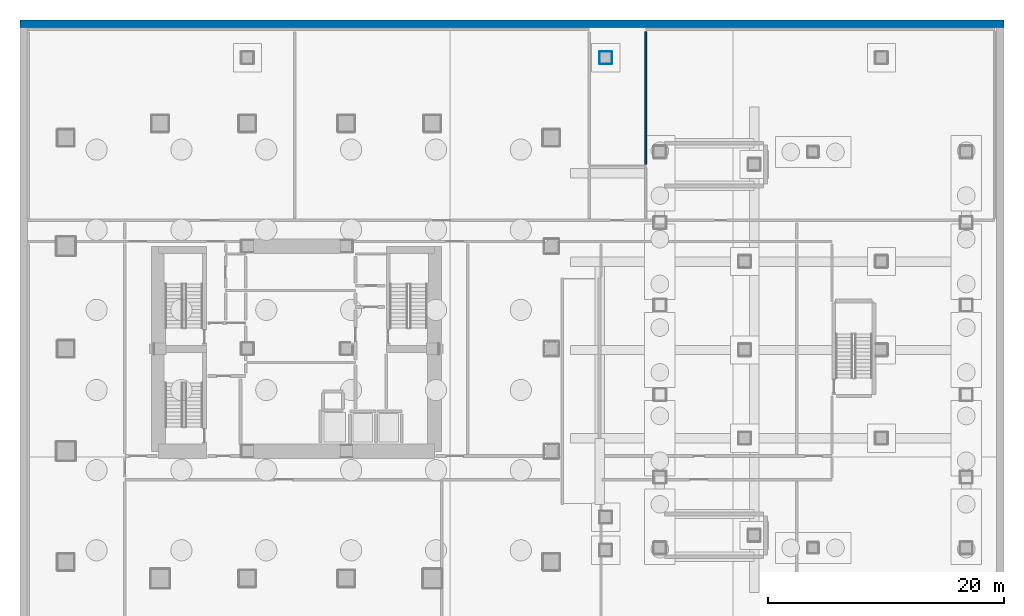
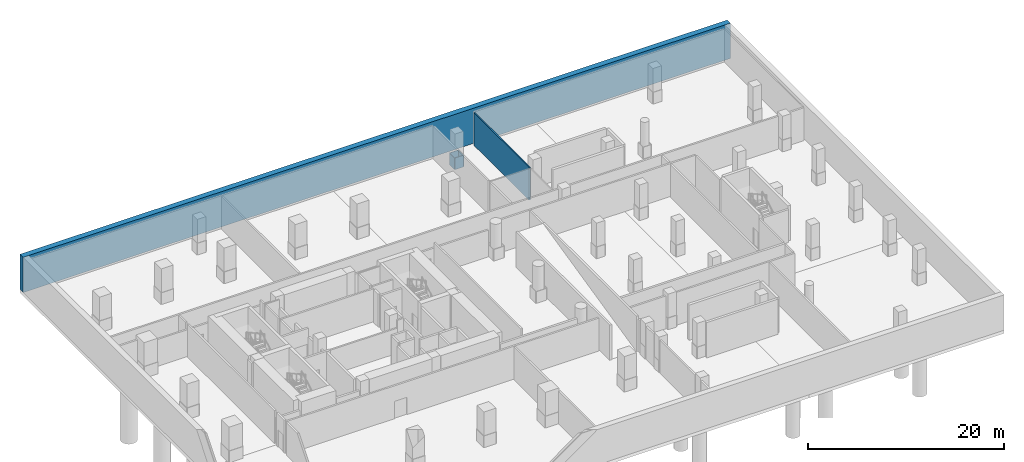
# One storey, part 8 of 13: 6 walls.
"""IFC4 building model written with IfcOpenShell, lengths in metres."""

from ifc_helpers import new_model, si_unit, direction, frame, frame_2d, origin, place, context, subcontext, project, spatial, rectangle, extrude, material, layer, layer_set, type_object, element, save


model = new_model("IFC4")

# Units and contexts
model_context = context("Model", 3, precision=1e-05, world=origin(), true_north=direction((0.0, 1.0)))
body_context = subcontext(model_context, "Body", "Model", "MODEL_VIEW")
ifc_project = project(units=[si_unit("LENGTHUNIT", "METRE"), si_unit("AREAUNIT", "SQUARE_METRE"), si_unit("VOLUMEUNIT", "CUBIC_METRE"), si_unit("PLANEANGLEUNIT", "RADIAN"), si_unit("MASSUNIT", "GRAM", prefix="KILO")], contexts=[model_context])

# Site, building, storey
site_placement = place(None, origin())
site = spatial("IfcSite", under=ifc_project, at=site_placement, CompositionType="ELEMENT")
building_placement = place(site_placement, origin())
building = spatial("IfcBuilding", under=site, at=building_placement, Name="Solanera Arch Residences", CompositionType="ELEMENT")
storey_placement = place(building_placement, frame((0.0, 0.0, -13.199951171875)))
storey = spatial("IfcBuildingStorey", under=building, at=storey_placement, Name="B03", CompositionType="ELEMENT", Elevation=-13.199951171875)

# Walls
ifc_material_1 = material(Name="Fire-Rated Gypsum Stud Partition", Category="gypsum")
ifc_layer_1 = layer(ifc_material_1, 0.06005859375)
ifc_layer_set_1 = layer_set([ifc_layer_1], Name="Fire-Rated Gypsum Stud Partition")
wall_type_1 = type_object("IfcWallType", Name="Column Acoustic Furring Wall 60", PredefinedType="PARTITIONING", material=ifc_layer_set_1)
for number, where, z_axis, x_axis, name in (
    (1, (50.699951171875, 54.867919921875, 0.0), (0.0, 0.0, 1.0), (1.0, 0.0, 0.0), "B03 Column Furring 39S"),
    (2, (50.699951171875, 55.931884765625, 0.0), (0.0, 0.0, 1.0), (1.0, 0.0, 0.0), "B03 Column Furring 39N"),
    (3, (50.66796875, 54.89990234375, 0.0), (0.0, 0.0, 1.0), (0.0, 1.0, 0.0), "B03 Column Furring 39W"),
    (4, (51.73193359375, 54.89990234375, 0.0), (0.0, 0.0, 1.0), (0.0, 1.0, 0.0), "B03 Column Furring 39E"),
):
    element("IfcWall", number, at=place(storey_placement, frame(where, z_axis=z_axis, x_axis=x_axis)), inside=storey, type_object=wall_type_1, Name=name, PredefinedType="PARTITIONING", context=body_context, shape_type="SweptSolid", body=[
        extrude(rectangle(XDim=1.0, YDim=0.06005859375, at=frame_2d((0.5, 0.0))), origin(), (0.0, 0.0, 1.0), 1.449951171875),
    ])
ifc_material_2 = material(Name="Concrete C40/50 (f'c = 45 MPa)", Category="concrete")
ifc_layer_2 = layer(ifc_material_2, 0.64990234375)
ifc_layer_set_2 = layer_set([ifc_layer_2], Name="Concrete C40/50 (f'c = 45 MPa)")
wall_type_2 = type_object("IfcWallType", Name="Solid Exterior Wall Substructure 650", PredefinedType="SOLIDWALL", material=ifc_layer_set_2)
wall_1_placement = place(storey_placement, frame((85.0, 58.27490234375, 0.0), z_axis=(0.0, 0.0, 1.0), x_axis=(-1.0, 0.0, 0.0)))
element("IfcWall", 5, at=wall_1_placement, inside=storey, type_object=wall_type_2, Name="B03 North Basement Retaining Wall", PredefinedType="SOLIDWALL", context=body_context, shape_type="SweptSolid", body=[
    extrude(rectangle(XDim=83.5, YDim=0.64990234375, at=frame_2d((41.75, 0.0))), origin(), (0.0, 0.0, 1.0), 4.39990234375),
])
ifc_material_3 = material(Name="Autoclaved Aerated Concrete Blockwork", Category="masonry")
ifc_layer_3 = layer(ifc_material_3, 0.139892578125)
ifc_layer_set_3 = layer_set([ifc_layer_3], Name="Autoclaved Aerated Concrete Blockwork")
wall_type_3 = type_object("IfcWallType", Name="Wet-Room Partition 140", PredefinedType="PARTITIONING", material=ifc_layer_set_3)
wall_2_placement = place(storey_placement, frame((54.60009765625, 46.347900390625, 0.0), z_axis=(0.0, 0.0, 1.0), x_axis=(0.0, 1.0, 0.0)))
element("IfcWall", 6, at=wall_2_placement, inside=storey, type_object=wall_type_3, Name="B03 Interior Partition V21 2", PredefinedType="PARTITIONING", context=body_context, shape_type="SweptSolid", body=[
    extrude(rectangle(XDim=11.274169921875, YDim=0.139892578125, at=frame_2d((5.63720703125, 0.0))), origin(), (0.0, 0.0, 1.0), 4.099853515625),
])

save(model, "model.ifc")
